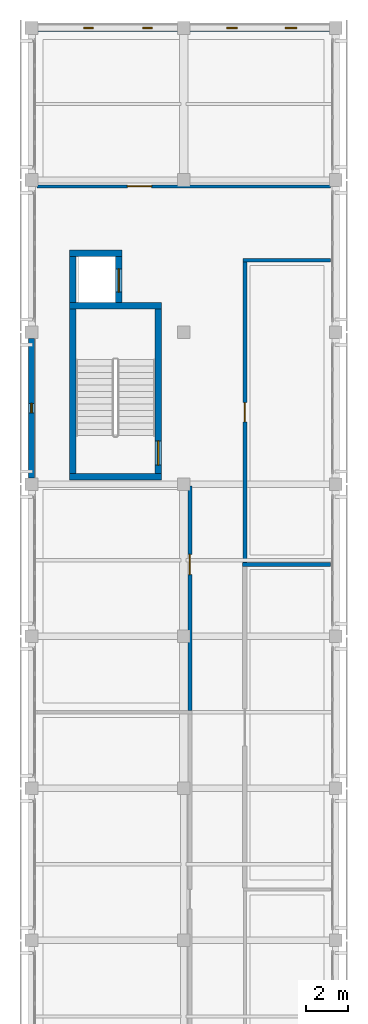
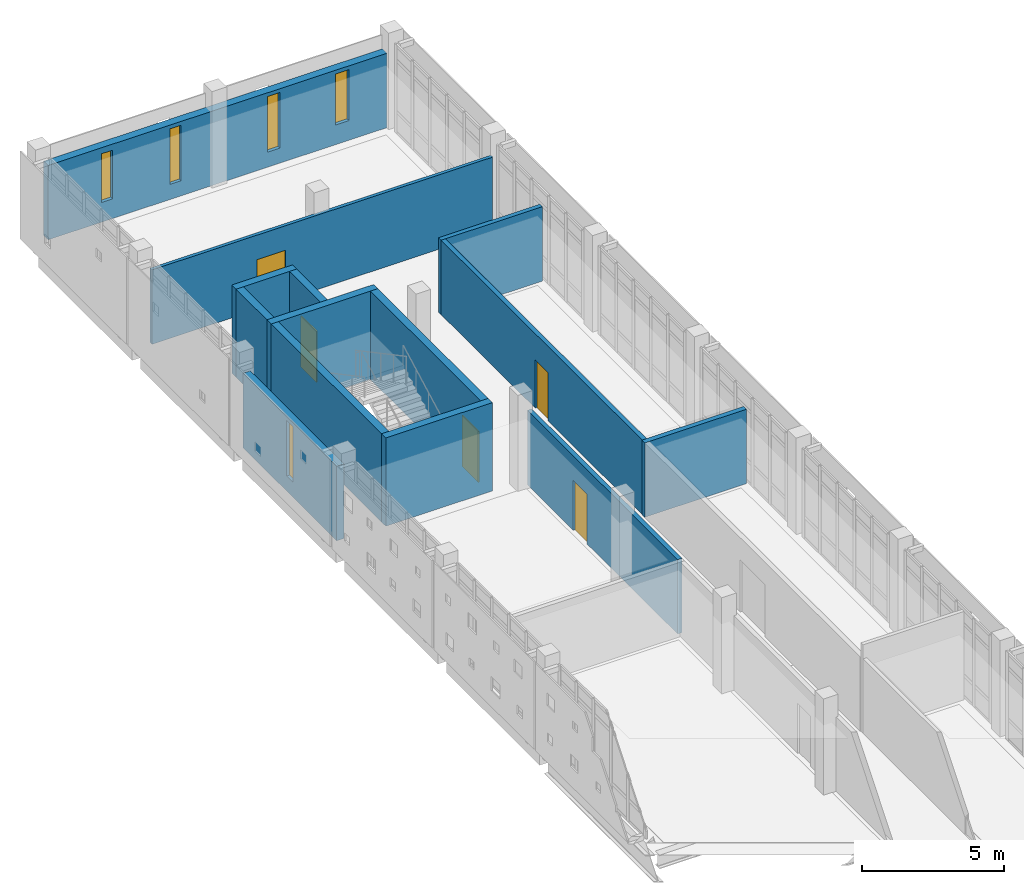
# One storey, part 16 of 21: 14 walls, 5 doors, 5 windows, 10 openings.
"""IFC4 building model written with IfcOpenShell, lengths in metres."""

import ifcopenshell
import ifcopenshell.guid

model = None  # the IFC model being written
_history = None  # IfcOwnerHistory: only IFC2X3 demands one
_inside = {}  # id of a spatial element -> (the spatial element, [elements in it])
_under = {}  # id of a project, library or spatial element -> (it, [spatial elements below it])
_declared = {}  # id of a project -> (the project, [libraries it declares])
_typed = {}  # id of a type object -> (the type object, [elements of that type])
_made_of = {}  # id of a material, layer set ... -> (it, [elements and type objects made of it])


def new_model(schema):
    """Start an empty IFC model of exactly this schema.

    Asked for "IFC4X3", IfcOpenShell would pick the latest addendum, in which some entities
    have other attributes; the version numbers below select the first issue.
    IFC2X3 requires an IfcOwnerHistory on every rooted entity: one is made here for all.
    """
    global model, _history
    if schema == "IFC4X3":
        model = ifcopenshell.file(schema_version=(4, 3, 0, 0))
    else:
        model = ifcopenshell.file(schema=schema)
    _inside.clear()
    _under.clear()
    _declared.clear()
    _typed.clear()
    _made_of.clear()
    _history = None
    if model.schema == "IFC2X3":
        org = make("IfcOrganization", Name="unknown")
        user = make(
            "IfcPersonAndOrganization",
            ThePerson=make("IfcPerson", FamilyName="unknown"),
            TheOrganization=org,
        )
        app = make(
            "IfcApplication",
            ApplicationDeveloper=org,
            Version="unknown",
            ApplicationFullName="unknown",
            ApplicationIdentifier="unknown",
        )
        _history = make(
            "IfcOwnerHistory",
            OwningUser=user,
            OwningApplication=app,
            ChangeAction="ADDED",
            CreationDate=0,
        )
    return model


def make(cls, **values):
    """One entity of the class cls with the attributes given. An attribute that is None is left unset."""
    return model.create_entity(
        cls, **{name: value for name, value in values.items() if value is not None}
    )


def rooted(cls, **values):
    """An entity with a GlobalId (a new one), such as an element, a storey or a relation."""
    return make(cls, GlobalId=ifcopenshell.guid.new(), OwnerHistory=_history, **values)


def si_unit(unit_type, name, prefix=None):
    """IfcSIUnit, for example si_unit("LENGTHUNIT", "METRE", prefix="MILLI")."""
    return make("IfcSIUnit", UnitType=unit_type, Prefix=prefix, Name=name)


def assignment(units):
    """IfcUnitAssignment: the units of a project."""
    return None if units is None else make("IfcUnitAssignment", Units=units)


def point(xyz):
    """IfcCartesianPoint."""
    return None if xyz is None else make("IfcCartesianPoint", Coordinates=xyz)


def direction(xyz):
    """IfcDirection."""
    return None if xyz is None else make("IfcDirection", DirectionRatios=xyz)


def frame(location, z_axis=None, x_axis=None):
    """IfcAxis2Placement3D, a coordinate frame: its origin and axes. An axis left out is left unset."""
    return make(
        "IfcAxis2Placement3D",
        Location=point(location),
        Axis=direction(z_axis),
        RefDirection=direction(x_axis),
    )


def frame_2d(location, x_axis=None):
    """IfcAxis2Placement2D, a coordinate frame in the plane: its origin and x axis."""
    return make(
        "IfcAxis2Placement2D", Location=point(location), RefDirection=direction(x_axis)
    )


def origin():
    """The frame at (0, 0, 0) with its axes left unset."""
    return frame((0.0, 0.0, 0.0))


def place(relative_to, where):
    """IfcLocalPlacement: puts the frame where relative to a parent placement (None: the world)."""
    return make(
        "IfcLocalPlacement", PlacementRelTo=relative_to, RelativePlacement=where
    )


def context(
    kind, dimensions, precision=None, world=None, true_north=None, identifier=None
):
    """IfcGeometricRepresentationContext, for example the 3D "Model" context."""
    return make(
        "IfcGeometricRepresentationContext",
        ContextIdentifier=identifier,
        ContextType=kind,
        CoordinateSpaceDimension=dimensions,
        Precision=precision,
        WorldCoordinateSystem=world,
        TrueNorth=true_north,
    )


def subcontext(parent, identifier, kind, view, scale=None):
    """IfcGeometricRepresentationSubContext, for example "Body" below "Model"."""
    return make(
        "IfcGeometricRepresentationSubContext",
        ContextIdentifier=identifier,
        ContextType=kind,
        ParentContext=parent,
        TargetScale=scale,
        TargetView=view,
    )


def project(units=None, contexts=None):
    """IfcProject with its units and contexts."""
    return rooted(
        "IfcProject",
        Name="project",
        RepresentationContexts=contexts,
        UnitsInContext=assignment(units),
    )


def spatial(cls, under=None, at=None, **own):
    """A site, building, storey or space (cls), placed at a placement, below another one or the project."""
    s = rooted(cls, ObjectPlacement=at, **own)
    if under is not None:
        _under.setdefault(under.id(), (under, []))[1].append(s)
    return s


def profile(cls, at=None, kind="AREA", **sizes):
    """A parametric profile (cls). Its sizes go by their IFC names, for example OverallWidth=200.0."""
    return make(cls, ProfileType=kind, Position=at, **sizes)


def rectangle(**sizes):
    """IfcRectangleProfileDef."""
    return profile("IfcRectangleProfileDef", **sizes)


def extrude(swept, where, along, depth):
    """IfcExtrudedAreaSolid: the profile swept, set in the frame where, extruded along a direction by depth."""
    return make(
        "IfcExtrudedAreaSolid",
        SweptArea=swept,
        Position=where,
        ExtrudedDirection=direction(along),
        Depth=depth,
    )


def shape(context_of_items, identifier, shape_type, items):
    """IfcShapeRepresentation: the items that make up one representation, for example the "Body"."""
    return make(
        "IfcShapeRepresentation",
        ContextOfItems=context_of_items,
        RepresentationIdentifier=identifier,
        RepresentationType=shape_type,
        Items=items,
    )


def material(Name=None, Category=None):
    """IfcMaterial."""
    return make("IfcMaterial", Name=Name, Category=Category)


def layer(
    of_material, thickness, ventilated=None, Name=None, Category=None, Priority=None
):
    """IfcMaterialLayer: one layer of a wall or slab, of a material (None: an air gap)."""
    return make(
        "IfcMaterialLayer",
        Material=of_material,
        LayerThickness=thickness,
        IsVentilated=ventilated,
        Name=Name,
        Category=Category,
        Priority=Priority,
    )


def layer_set(layers, Name=None):
    """IfcMaterialLayerSet."""
    return make("IfcMaterialLayerSet", MaterialLayers=layers, LayerSetName=Name)


def made_of(thing, what):
    """Note that an element or type object is made of a material, layer set ...; save() writes the relation."""
    if what is not None:
        _made_of.setdefault(what.id(), (what, []))[1].append(thing)
    return thing


def type_object(cls, material=None, **own):
    """A type object (cls), such as IfcWallType, which elements share."""
    return made_of(rooted(cls, **own), material)


def element(
    cls,
    number,
    at=None,
    inside=None,
    cuts=None,
    type_object=None,
    material=None,
    context=None,
    identifier="Body",
    shape_type=None,
    held_by="IfcProductDefinitionShape",
    body=None,
    shapes=None,
    **own,
):
    """One element of the class cls, such as IfcWall. Its Tag is "e" and its number.

    at: its placement. inside: the storey or other place that contains it. cuts: it is an
    opening in that element (IfcRelVoidsElement). A single representation is given by context,
    identifier, shape_type and body (its items); several are given by shapes. held_by: the class
    of the entity that holds the representations. save() writes the other relations.
    """
    e = rooted(cls, Tag="e%d" % number, ObjectPlacement=at, **own)
    if body is not None:
        shapes = [shape(context, identifier, shape_type, body)]
    if shapes is not None:
        e.Representation = make(held_by, Representations=shapes)
    if inside is not None:
        _inside.setdefault(inside.id(), (inside, []))[1].append(e)
    if cuts is not None:
        rooted(
            "IfcRelVoidsElement", RelatingBuildingElement=cuts, RelatedOpeningElement=e
        )
    if type_object is not None:
        _typed.setdefault(type_object.id(), (type_object, []))[1].append(e)
    return made_of(e, material)


def fill(opening, filler):
    """IfcRelFillsElement: the door or window that sits in an opening."""
    return rooted(
        "IfcRelFillsElement",
        RelatingOpeningElement=opening,
        RelatedBuildingElement=filler,
    )


def aggregate(whole, parts):
    """IfcRelAggregates: a whole, such as a stair, and the parts it consists of."""
    return rooted("IfcRelAggregates", RelatingObject=whole, RelatedObjects=parts)


def save(model, path):
    """Write the relations noted so far, then the file.

    IfcRelAggregates (storeys below a building ...), IfcRelContainedInSpatialStructure (elements
    in a storey), IfcRelDefinesByType, IfcRelAssociatesMaterial and IfcRelDeclares: one each for
    every whole, place, type object, material and project.
    """
    for whole, parts in _under.values():
        aggregate(whole, parts)
    for where, things in _inside.values():
        rooted(
            "IfcRelContainedInSpatialStructure",
            RelatedElements=things,
            RelatingStructure=where,
        )
    for kind, things in _typed.values():
        rooted("IfcRelDefinesByType", RelatedObjects=things, RelatingType=kind)
    for what, things in _made_of.values():
        rooted("IfcRelAssociatesMaterial", RelatedObjects=things, RelatingMaterial=what)
    for by, libraries in _declared.values():
        rooted("IfcRelDeclares", RelatingContext=by, RelatedDefinitions=libraries)
    model.write(path)


model = new_model("IFC4")

# Units and contexts
model_context = context("Model", 3, precision=1e-05, world=origin(), true_north=direction((0.0, 1.0)))
body_context = subcontext(model_context, "Body", "Model", "MODEL_VIEW")
ifc_project = project(units=[si_unit("LENGTHUNIT", "METRE"), si_unit("AREAUNIT", "SQUARE_METRE"), si_unit("VOLUMEUNIT", "CUBIC_METRE"), si_unit("PLANEANGLEUNIT", "RADIAN"), si_unit("MASSUNIT", "GRAM", prefix="KILO")], contexts=[model_context])

# Site, building, storey
site_placement = place(None, origin())
site = spatial("IfcSite", under=ifc_project, at=site_placement, CompositionType="ELEMENT")
building_placement = place(site_placement, origin())
building = spatial("IfcBuilding", under=site, at=building_placement, Name="Valkovuoma Quantum and Materials Research Institute", CompositionType="ELEMENT")
storey_placement = place(building_placement, frame((0.0, 0.0, 33.919921875)))
storey = spatial("IfcBuildingStorey", under=building, at=storey_placement, Name="L08", CompositionType="ELEMENT", Elevation=33.919921875)

# Walls
ifc_material_1 = material(Name="Concrete C40/50", Category="concrete")
ifc_layer_1 = layer(ifc_material_1, 0.300048828125)
ifc_layer_set_1 = layer_set([ifc_layer_1], Name="Concrete C40/50")
wall_type_1 = type_object("IfcWallType", Name="Wall-W-COR300", PredefinedType="SHEAR", material=ifc_layer_set_1)
for number, where, z_axis, x_axis, name in (
    (1, (1.800048828125, 72.35009765625, 0.0), (0.0, 0.0, 1.0), (1.0, 0.0, 0.0), "L08 core wall 0185"),
    (2, (1.800048828125, 80.449951171875, 0.0), (0.0, 0.0, 1.0), (1.0, 0.0, 0.0), "L08 core wall 0186"),
):
    element("IfcWall", number, at=place(storey_placement, frame(where, z_axis=z_axis, x_axis=x_axis)), inside=storey, type_object=wall_type_1, Name=name, PredefinedType="SHEAR", context=body_context, shape_type="SweptSolid", body=[
        extrude(rectangle(XDim=4.349853515625, YDim=0.300048828125, at=frame_2d((2.1748046875, 0.0))), origin(), (0.0, 0.0, 1.0), 3.81005859375),
    ])
wall_1_placement = place(storey_placement, frame((1.949951171875, 72.5, 0.0), z_axis=(0.0, 0.0, 1.0), x_axis=(0.0, 1.0, 0.0)))
element("IfcWall", 3, at=wall_1_placement, inside=storey, type_object=wall_type_1, Name="L08 core wall 0187", PredefinedType="SHEAR", context=body_context, shape_type="SweptSolid", body=[
    extrude(rectangle(XDim=7.800048828125, YDim=0.300048828125, at=frame_2d((3.89990234375, 0.0))), origin(), (0.0, 0.0, 1.0), 3.81005859375),
])

# Wall, opening, door
wall_2_placement = place(storey_placement, frame((6.0, 72.5, 0.0), z_axis=(0.0, 0.0, 1.0), x_axis=(0.0, 1.0, 0.0)))
wall_2 = element("IfcWall", 4, at=wall_2_placement, inside=storey, type_object=wall_type_1, Name="L08 core wall 0188", PredefinedType="SHEAR", context=body_context, shape_type="SweptSolid", body=[
    extrude(rectangle(XDim=7.800048828125, YDim=0.300048828125, at=frame_2d((3.89990234375, 0.0))), origin(), (0.0, 0.0, 1.0), 3.81005859375),
])
opening_1_placement = place(wall_2_placement, frame((0.39990234375, 0.0, 0.0)))
opening_1 = element("IfcOpeningElement", 5, at=opening_1_placement, cuts=wall_2, Name="Opening SD-032", PredefinedType="OPENING", context=body_context, shape_type="SweptSolid", body=[
    extrude(rectangle(XDim=1.14990234375, YDim=2.199951171875, at=frame_2d((0.574951171875, 1.10009765625))), frame((0.0, 0.16015625, 0.0), z_axis=(0.0, -1.0, 0.0), x_axis=(1.0, 0.0, 0.0)), (0.0, 0.0, 1.0), 0.320068359375),
])
ifc_material_2 = material(Name="Powder-coated steel and acoustic timber door assembly", Category="steel")
door_type_1 = type_object("IfcDoorType", Name="Door-DR-ST60", OperationType="NOTDEFINED", PredefinedType="DOOR", material=ifc_material_2)
door_1_placement = place(opening_1_placement, origin())
door_1 = element("IfcDoor", 6, at=door_1_placement, inside=storey, type_object=door_type_1, Name="L08 ST-2 fire door", OperationType="SINGLE_SWING_LEFT", OverallHeight=2.199951171875, OverallWidth=1.14990234375, PredefinedType="DOOR", context=body_context, shape_type="SweptSolid", body=[
    extrude(rectangle(XDim=1.14990234375, YDim=2.199951171875, at=frame_2d((0.574951171875, 1.10009765625))), frame((0.0, 0.02490234375, 0.0), z_axis=(0.0, -1.0, 0.0), x_axis=(1.0, 0.0, 0.0)), (0.0, 0.0, 1.0), 0.050048828125),
])
fill(opening_1, door_1)

# Walls
wall_3_placement = place(storey_placement, frame((1.800048828125, 82.929931640625, 0.0), z_axis=(0.0, 0.0, 1.0), x_axis=(1.0, 0.0, 0.0)))
element("IfcWall", 7, at=wall_3_placement, inside=storey, type_object=wall_type_1, Name="L08 core wall 0189", PredefinedType="SHEAR", context=body_context, shape_type="SweptSolid", body=[
    extrude(rectangle(XDim=2.47998046875, YDim=0.300048828125, at=frame_2d((1.239990234375, 0.0))), origin(), (0.0, 0.0, 1.0), 3.81005859375),
])
wall_4_placement = place(storey_placement, frame((1.949951171875, 80.60009765625, 0.0), z_axis=(0.0, 0.0, 1.0), x_axis=(0.0, 1.0, 0.0)))
element("IfcWall", 8, at=wall_4_placement, inside=storey, type_object=wall_type_1, Name="L08 core wall 0190", PredefinedType="SHEAR", context=body_context, shape_type="SweptSolid", body=[
    extrude(rectangle(XDim=2.179931640625, YDim=0.300048828125, at=frame_2d((1.08984375, 0.0))), origin(), (0.0, 0.0, 1.0), 3.81005859375),
])

# Wall, opening, door
wall_5_placement = place(storey_placement, frame((4.1298828125, 80.60009765625, 0.0), z_axis=(0.0, 0.0, 1.0), x_axis=(0.0, 1.0, 0.0)))
wall_5 = element("IfcWall", 9, at=wall_5_placement, inside=storey, type_object=wall_type_1, Name="L08 core wall 0191", PredefinedType="SHEAR", context=body_context, shape_type="SweptSolid", body=[
    extrude(rectangle(XDim=2.179931640625, YDim=0.300048828125, at=frame_2d((1.08984375, 0.0))), origin(), (0.0, 0.0, 1.0), 3.81005859375),
])
opening_2_placement = place(wall_5_placement, frame((0.5, 0.0, 0.0)))
opening_2 = element("IfcOpeningElement", 10, at=opening_2_placement, cuts=wall_5, Name="Opening LD-032", PredefinedType="OPENING", context=body_context, shape_type="SweptSolid", body=[
    extrude(rectangle(XDim=1.10009765625, YDim=2.199951171875, at=frame_2d((0.550048828125, 1.10009765625))), frame((0.0, 0.16015625, 0.0), z_axis=(0.0, -1.0, 0.0), x_axis=(1.0, 0.0, 0.0)), (0.0, 0.0, 1.0), 0.320068359375),
])
ifc_material_3 = material(Name="Powder-coated steel and acoustic timber door assembly", Category="steel")
door_type_2 = type_object("IfcDoorType", Name="Door-DR-LD01", OperationType="NOTDEFINED", PredefinedType="DOOR", material=ifc_material_3)
door_2_placement = place(opening_2_placement, origin())
door_2 = element("IfcDoor", 11, at=door_2_placement, inside=storey, type_object=door_type_2, Name="L08 LIFT-P2 sliding landing door", OperationType="SLIDING_TO_LEFT", OverallHeight=2.199951171875, OverallWidth=1.10009765625, PredefinedType="DOOR", context=body_context, shape_type="SweptSolid", body=[
    extrude(rectangle(XDim=1.10009765625, YDim=2.199951171875, at=frame_2d((0.550048828125, 1.10009765625))), frame((0.0, 0.02490234375, 0.0), z_axis=(0.0, -1.0, 0.0), x_axis=(1.0, 0.0, 0.0)), (0.0, 0.0, 1.0), 0.050048828125),
])
fill(opening_2, door_2)

# Wall, opening, window
ifc_material_4 = material(Name="Precast concrete C40/50", Category="concrete")
ifc_layer_2 = layer(ifc_material_4, 0.300048828125)
ifc_layer_set_2 = layer_set([ifc_layer_2], Name="Precast concrete C40/50")
wall_type_2 = type_object("IfcWallType", Name="Wall-W-EXT300", PredefinedType="SOLIDWALL", material=ifc_layer_set_2)
wall_6_placement = place(storey_placement, frame((0.0, 72.2900390625, 0.0), z_axis=(0.0, 0.0, 1.0), x_axis=(0.0, 1.0, 0.0)))
wall_6 = element("IfcWall", 12, at=wall_6_placement, inside=storey, type_object=wall_type_2, Name="L08 exterior wall 0064", PredefinedType="SOLIDWALL", context=body_context, shape_type="SweptSolid", body=[
    extrude(rectangle(XDim=6.619873046875, YDim=0.300048828125, at=frame_2d((3.31005859375, 0.0))), origin(), (0.0, 0.0, 1.0), 3.2099609375),
])
opening_3_placement = place(wall_6_placement, frame((3.0849609375, 0.0, 0.64990234375)))
opening_3 = element("IfcOpeningElement", 13, at=opening_3_placement, cuts=wall_6, Name="Opening WN-SL01", PredefinedType="OPENING", context=body_context, shape_type="SweptSolid", body=[
    extrude(rectangle(XDim=0.449951171875, YDim=2.39990234375, at=frame_2d((0.22509765625, 1.199951171875))), frame((0.0, 0.16015625, 0.0), z_axis=(0.0, -1.0, 0.0), x_axis=(1.0, 0.0, 0.0)), (0.0, 0.0, 1.0), 0.320068359375),
])
ifc_material_5 = material(Name="Triple low-E argon glazing in thermally broken aluminium frame", Category="aluminium")
window_type_1 = type_object("IfcWindowType", Name="Win-WN-SL01", PartitioningType="SINGLE_PANEL", PredefinedType="WINDOW", material=ifc_material_5)
window_1_placement = place(opening_3_placement, origin())
window_1 = element("IfcWindow", 14, at=window_1_placement, inside=storey, type_object=window_type_1, Name="L08 window 0068", OverallHeight=2.39990234375, OverallWidth=0.449951171875, PartitioningType="SINGLE_PANEL", PredefinedType="WINDOW", context=body_context, shape_type="SweptSolid", body=[
    extrude(rectangle(XDim=0.449951171875, YDim=2.39990234375, at=frame_2d((0.22509765625, 1.199951171875))), frame((0.0, 0.030029296875, 0.0), z_axis=(0.0, -1.0, 0.0), x_axis=(1.0, 0.0, 0.0)), (0.0, 0.0, 1.0), 0.06005859375),
])
fill(opening_3, window_1)

# Wall, openings, windows
ifc_material_6 = material(Name="Precast concrete C40/50", Category="concrete")
ifc_layer_3 = layer(ifc_material_6, 0.320068359375)
ifc_layer_set_3 = layer_set([ifc_layer_3], Name="Precast concrete C40/50")
wall_type_3 = type_object("IfcWallType", Name="Wall-W-EXT320", PredefinedType="SOLIDWALL", material=ifc_layer_set_3)
wall_7_placement = place(storey_placement, frame((0.2900390625, 93.60009765625, 0.0), z_axis=(0.0, 0.0, 1.0), x_axis=(1.0, 0.0, 0.0)))
wall_7 = element("IfcWall", 15, at=wall_7_placement, inside=storey, type_object=wall_type_3, Name="L08 exterior wall 0062", PredefinedType="SOLIDWALL", context=body_context, shape_type="SweptSolid", body=[
    extrude(rectangle(XDim=13.820068359375, YDim=0.320068359375, at=frame_2d((6.91015625, 0.0))), origin(), (0.0, 0.0, 1.0), 3.2099609375),
])
opening_4_placement = place(wall_7_placement, frame((2.175048828125, 0.0, 0.85009765625)))
opening_4 = element("IfcOpeningElement", 16, at=opening_4_placement, cuts=wall_7, Name="Opening WN-SL04", PredefinedType="OPENING", context=body_context, shape_type="SweptSolid", body=[
    extrude(rectangle(XDim=0.449951171875, YDim=2.10009765625, at=frame_2d((0.22509765625, 1.050048828125))), frame((0.0, 0.169921875, 0.0), z_axis=(0.0, -1.0, 0.0), x_axis=(1.0, 0.0, 0.0)), (0.0, 0.0, 1.0), 0.340087890625),
])
opening_5_placement = place(wall_7_placement, frame((4.97509765625, 0.0, 0.64990234375)))
opening_5 = element("IfcOpeningElement", 17, at=opening_5_placement, cuts=wall_7, Name="Opening WN-SL01", PredefinedType="OPENING", context=body_context, shape_type="SweptSolid", body=[
    extrude(rectangle(XDim=0.449951171875, YDim=2.39990234375, at=frame_2d((0.22509765625, 1.199951171875))), frame((0.0, 0.169921875, 0.0), z_axis=(0.0, -1.0, 0.0), x_axis=(1.0, 0.0, 0.0)), (0.0, 0.0, 1.0), 0.340087890625),
])
opening_6_placement = place(wall_7_placement, frame((8.949951171875, 0.0, 0.64990234375)))
opening_6 = element("IfcOpeningElement", 18, at=opening_6_placement, cuts=wall_7, Name="Opening WN-SL02", PredefinedType="OPENING", context=body_context, shape_type="SweptSolid", body=[
    extrude(rectangle(XDim=0.5, YDim=2.39990234375, at=frame_2d((0.25, 1.199951171875))), frame((0.0, 0.169921875, 0.0), z_axis=(0.0, -1.0, 0.0), x_axis=(1.0, 0.0, 0.0)), (0.0, 0.0, 1.0), 0.340087890625),
])
opening_7_placement = place(wall_7_placement, frame((11.72509765625, 0.0, 0.85009765625)))
opening_7 = element("IfcOpeningElement", 19, at=opening_7_placement, cuts=wall_7, Name="Opening WN-SL03", PredefinedType="OPENING", context=body_context, shape_type="SweptSolid", body=[
    extrude(rectangle(XDim=0.550048828125, YDim=2.199951171875, at=frame_2d((0.27490234375, 1.10009765625))), frame((0.0, 0.169921875, 0.0), z_axis=(0.0, -1.0, 0.0), x_axis=(1.0, 0.0, 0.0)), (0.0, 0.0, 1.0), 0.340087890625),
])
window_2_placement = place(opening_5_placement, origin())
window_2 = element("IfcWindow", 20, at=window_2_placement, inside=storey, type_object=window_type_1, Name="L08 window 0065", OverallHeight=2.39990234375, OverallWidth=0.449951171875, PartitioningType="SINGLE_PANEL", PredefinedType="WINDOW", context=body_context, shape_type="SweptSolid", body=[
    extrude(rectangle(XDim=0.449951171875, YDim=2.39990234375, at=frame_2d((0.22509765625, 1.199951171875))), frame((0.0, 0.030029296875, 0.0), z_axis=(0.0, -1.0, 0.0), x_axis=(1.0, 0.0, 0.0)), (0.0, 0.0, 1.0), 0.06005859375),
])
fill(opening_5, window_2)
ifc_material_7 = material(Name="Triple low-E argon glazing in thermally broken aluminium frame", Category="aluminium")
window_type_2 = type_object("IfcWindowType", Name="Win-WN-SL02", PartitioningType="SINGLE_PANEL", PredefinedType="WINDOW", material=ifc_material_7)
window_3_placement = place(opening_6_placement, origin())
window_3 = element("IfcWindow", 21, at=window_3_placement, inside=storey, type_object=window_type_2, Name="L08 window 0066", OverallHeight=2.39990234375, OverallWidth=0.5, PartitioningType="SINGLE_PANEL", PredefinedType="WINDOW", context=body_context, shape_type="SweptSolid", body=[
    extrude(rectangle(XDim=0.5, YDim=2.39990234375, at=frame_2d((0.25, 1.199951171875))), frame((0.0, 0.030029296875, 0.0), z_axis=(0.0, -1.0, 0.0), x_axis=(1.0, 0.0, 0.0)), (0.0, 0.0, 1.0), 0.06005859375),
])
fill(opening_6, window_3)
ifc_material_8 = material(Name="Triple low-E argon glazing in thermally broken aluminium frame", Category="aluminium")
window_type_3 = type_object("IfcWindowType", Name="Win-WN-SL03", PartitioningType="SINGLE_PANEL", PredefinedType="WINDOW", material=ifc_material_8)
window_4_placement = place(opening_7_placement, origin())
window_4 = element("IfcWindow", 22, at=window_4_placement, inside=storey, type_object=window_type_3, Name="L08 window 0067", OverallHeight=2.199951171875, OverallWidth=0.550048828125, PartitioningType="SINGLE_PANEL", PredefinedType="WINDOW", context=body_context, shape_type="SweptSolid", body=[
    extrude(rectangle(XDim=0.550048828125, YDim=2.199951171875, at=frame_2d((0.27490234375, 1.10009765625))), frame((0.0, 0.030029296875, 0.0), z_axis=(0.0, -1.0, 0.0), x_axis=(1.0, 0.0, 0.0)), (0.0, 0.0, 1.0), 0.06005859375),
])
fill(opening_7, window_4)
ifc_material_9 = material(Name="Triple low-E argon glazing in thermally broken aluminium frame", Category="aluminium")
window_type_4 = type_object("IfcWindowType", Name="Win-WN-SL04", PartitioningType="SINGLE_PANEL", PredefinedType="WINDOW", material=ifc_material_9)
window_5_placement = place(opening_4_placement, origin())
window_5 = element("IfcWindow", 23, at=window_5_placement, inside=storey, type_object=window_type_4, Name="L08 window 0064", OverallHeight=2.10009765625, OverallWidth=0.449951171875, PartitioningType="SINGLE_PANEL", PredefinedType="WINDOW", context=body_context, shape_type="SweptSolid", body=[
    extrude(rectangle(XDim=0.449951171875, YDim=2.10009765625, at=frame_2d((0.22509765625, 1.050048828125))), frame((0.0, 0.030029296875, 0.0), z_axis=(0.0, -1.0, 0.0), x_axis=(1.0, 0.0, 0.0)), (0.0, 0.0, 1.0), 0.06005859375),
])
fill(opening_4, window_5)

# Wall, opening, door
ifc_material_10 = material(Name="Interior office stud partition", Category="masonry")
ifc_layer_4 = layer(ifc_material_10, 0.135009765625)
ifc_layer_set_4 = layer_set([ifc_layer_4], Name="Interior office stud partition")
wall_type_4 = type_object("IfcWallType", Name="Wall-W-PRT135", PredefinedType="PARTITIONING", material=ifc_layer_set_4)
wall_8_placement = place(storey_placement, frame((0.25, 86.10009765625, 0.0), z_axis=(0.0, 0.0, 1.0), x_axis=(1.0, 0.0, 0.0)))
wall_8 = element("IfcWall", 24, at=wall_8_placement, inside=storey, type_object=wall_type_4, Name="L08 partition 0273", PredefinedType="PARTITIONING", context=body_context, shape_type="SweptSolid", body=[
    extrude(rectangle(XDim=13.89990234375, YDim=0.135009765625, at=frame_2d((6.949951171875, 0.0))), origin(), (0.0, 0.0, 1.0), 3.2099609375),
])
opening_8_placement = place(wall_8_placement, frame((4.2900390625, 0.0, 0.0)))
opening_8 = element("IfcOpeningElement", 25, at=opening_8_placement, cuts=wall_8, Name="Opening ID-0193", PredefinedType="OPENING", context=body_context, shape_type="SweptSolid", body=[
    extrude(rectangle(XDim=1.14990234375, YDim=2.14990234375, at=frame_2d((0.574951171875, 1.074951171875))), frame((0.0, 0.07763671875, 0.0), z_axis=(0.0, -1.0, 0.0), x_axis=(1.0, 0.0, 0.0)), (0.0, 0.0, 1.0), 0.155029296875),
])
ifc_material_11 = material(Name="Powder-coated steel and acoustic timber door assembly", Category="steel")
door_type_3 = type_object("IfcDoorType", Name="Door-DR-SM01", OperationType="NOTDEFINED", PredefinedType="DOOR", material=ifc_material_11)
door_3_placement = place(opening_8_placement, origin())
door_3 = element("IfcDoor", 26, at=door_3_placement, inside=storey, type_object=door_type_3, Name="L08 room door 0193", OperationType="SINGLE_SWING_RIGHT", OverallHeight=2.14990234375, OverallWidth=1.14990234375, PredefinedType="DOOR", context=body_context, shape_type="SweptSolid", body=[
    extrude(rectangle(XDim=1.14990234375, YDim=2.14990234375, at=frame_2d((0.574951171875, 1.074951171875))), frame((0.0, 0.02490234375, 0.0), z_axis=(0.0, -1.0, 0.0), x_axis=(1.0, 0.0, 0.0)), (0.0, 0.0, 1.0), 0.050048828125),
])
fill(opening_8, door_3)

ifc_material_12 = material(Name="Laboratory fire-rated gypsum partition", Category="masonry")
ifc_layer_5 = layer(ifc_material_12, 0.179931640625)
ifc_layer_set_5 = layer_set([ifc_layer_5], Name="Laboratory fire-rated gypsum partition")
wall_type_5 = type_object("IfcWallType", Name="Wall-W-PRT180", PredefinedType="PARTITIONING", material=ifc_layer_set_5)
wall_9_placement = place(storey_placement, frame((7.5, 61.2900390625, 0.0), z_axis=(0.0, 0.0, 1.0), x_axis=(0.0, 1.0, 0.0)))
wall_9 = element("IfcWall", 27, at=wall_9_placement, inside=storey, type_object=wall_type_5, Name="L08 partition 0272", PredefinedType="PARTITIONING", context=body_context, shape_type="SweptSolid", body=[
    extrude(rectangle(XDim=10.619873046875, YDim=0.179931640625, at=frame_2d((5.31005859375, 0.0))), origin(), (0.0, 0.0, 1.0), 3.2099609375),
])
opening_9_placement = place(wall_9_placement, frame((6.423095703125, 0.0, 0.0)))
opening_9 = element("IfcOpeningElement", 28, at=opening_9_placement, cuts=wall_9, Name="Opening ID-0192", PredefinedType="OPENING", context=body_context, shape_type="SweptSolid", body=[
    extrude(rectangle(XDim=0.9599609375, YDim=2.14990234375, at=frame_2d((0.47998046875, 1.074951171875))), frame((0.0, 0.10009765625, 0.0), z_axis=(0.0, -1.0, 0.0), x_axis=(1.0, 0.0, 0.0)), (0.0, 0.0, 1.0), 0.199951171875),
])
ifc_material_13 = material(Name="Powder-coated steel and acoustic timber door assembly", Category="steel")
door_type_4 = type_object("IfcDoorType", Name="Door-DR-OF06", OperationType="NOTDEFINED", PredefinedType="DOOR", material=ifc_material_13)
door_4_placement = place(opening_9_placement, origin())
door_4 = element("IfcDoor", 29, at=door_4_placement, inside=storey, type_object=door_type_4, Name="L08 room door 0192", OperationType="SINGLE_SWING_LEFT", OverallHeight=2.14990234375, OverallWidth=0.9599609375, PredefinedType="DOOR", context=body_context, shape_type="SweptSolid", body=[
    extrude(rectangle(XDim=0.9599609375, YDim=2.14990234375, at=frame_2d((0.47998046875, 1.074951171875))), frame((0.0, 0.02490234375, 0.0), z_axis=(0.0, -1.0, 0.0), x_axis=(1.0, 0.0, 0.0)), (0.0, 0.0, 1.0), 0.050048828125),
])
fill(opening_9, door_4)

# Wall
wall_10_placement = place(storey_placement, frame((10.010009765625, 82.60009765625, 0.0), z_axis=(0.0, 0.0, 1.0), x_axis=(1.0, 0.0, 0.0)))
element("IfcWall", 30, at=wall_10_placement, inside=storey, type_object=wall_type_5, Name="L08 partition 0279", PredefinedType="PARTITIONING", context=body_context, shape_type="SweptSolid", body=[
    extrude(rectangle(XDim=4.139892578125, YDim=0.179931640625, at=frame_2d((2.06982421875, 0.0))), origin(), (0.0, 0.0, 1.0), 3.2099609375),
])

# Wall, opening, door
wall_11_placement = place(storey_placement, frame((10.10009765625, 68.300048828125, 0.0), z_axis=(0.0, 0.0, 1.0), x_axis=(0.0, 1.0, 0.0)))
wall_11 = element("IfcWall", 31, at=wall_11_placement, inside=storey, type_object=wall_type_5, Name="L08 partition 0280", PredefinedType="PARTITIONING", context=body_context, shape_type="SweptSolid", body=[
    extrude(rectangle(XDim=14.2099609375, YDim=0.179931640625, at=frame_2d((7.10498046875, 0.0))), origin(), (0.0, 0.0, 1.0), 3.2099609375),
])
opening_10_placement = place(wall_11_placement, frame((6.64990234375, 0.0, 0.0)))
opening_10 = element("IfcOpeningElement", 32, at=opening_10_placement, cuts=wall_11, Name="Opening ID-0197", PredefinedType="OPENING", context=body_context, shape_type="SweptSolid", body=[
    extrude(rectangle(XDim=0.909912109375, YDim=2.080078125, at=frame_2d((0.455078125, 1.0400390625))), frame((0.0, 0.10009765625, 0.0), z_axis=(0.0, -1.0, 0.0), x_axis=(1.0, 0.0, 0.0)), (0.0, 0.0, 1.0), 0.199951171875),
])
ifc_material_14 = material(Name="Powder-coated steel and acoustic timber door assembly", Category="steel")
door_type_5 = type_object("IfcDoorType", Name="Door-DR-RM01", OperationType="NOTDEFINED", PredefinedType="DOOR", material=ifc_material_14)
door_5_placement = place(opening_10_placement, origin())
door_5 = element("IfcDoor", 33, at=door_5_placement, inside=storey, type_object=door_type_5, Name="L08 room door 0197", OperationType="SINGLE_SWING_RIGHT", OverallHeight=2.080078125, OverallWidth=0.909912109375, PredefinedType="DOOR", context=body_context, shape_type="SweptSolid", body=[
    extrude(rectangle(XDim=0.909912109375, YDim=2.080078125, at=frame_2d((0.455078125, 1.0400390625))), frame((0.0, 0.02490234375, 0.0), z_axis=(0.0, -1.0, 0.0), x_axis=(1.0, 0.0, 0.0)), (0.0, 0.0, 1.0), 0.050048828125),
])
fill(opening_10, door_5)

# Wall
ifc_material_15 = material(Name="Acoustic double-stud gypsum and mineral wool partition", Category="masonry")
ifc_layer_6 = layer(ifc_material_15, 0.199951171875)
ifc_layer_set_6 = layer_set([ifc_layer_6], Name="Acoustic double-stud gypsum and mineral wool partition")
wall_type_6 = type_object("IfcWallType", Name="Wall-W-PRT200", PredefinedType="PARTITIONING", material=ifc_layer_set_6)
wall_12_placement = place(storey_placement, frame((10.0, 68.199951171875, 0.0), z_axis=(0.0, 0.0, 1.0), x_axis=(1.0, 0.0, 0.0)))
element("IfcWall", 34, at=wall_12_placement, inside=storey, type_object=wall_type_6, Name="L08 partition 0277", PredefinedType="PARTITIONING", context=body_context, shape_type="SweptSolid", body=[
    extrude(rectangle(XDim=4.14990234375, YDim=0.199951171875, at=frame_2d((2.074951171875, 0.0))), origin(), (0.0, 0.0, 1.0), 3.2099609375),
])

save(model, "model.ifc")
